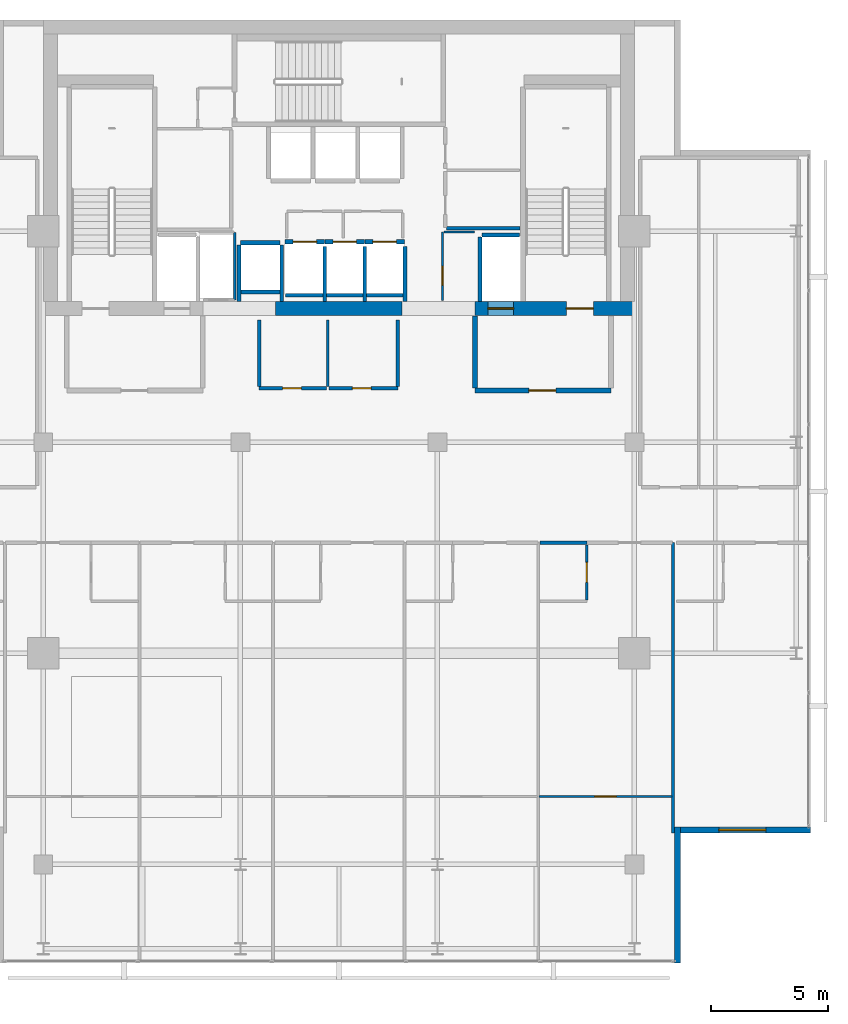
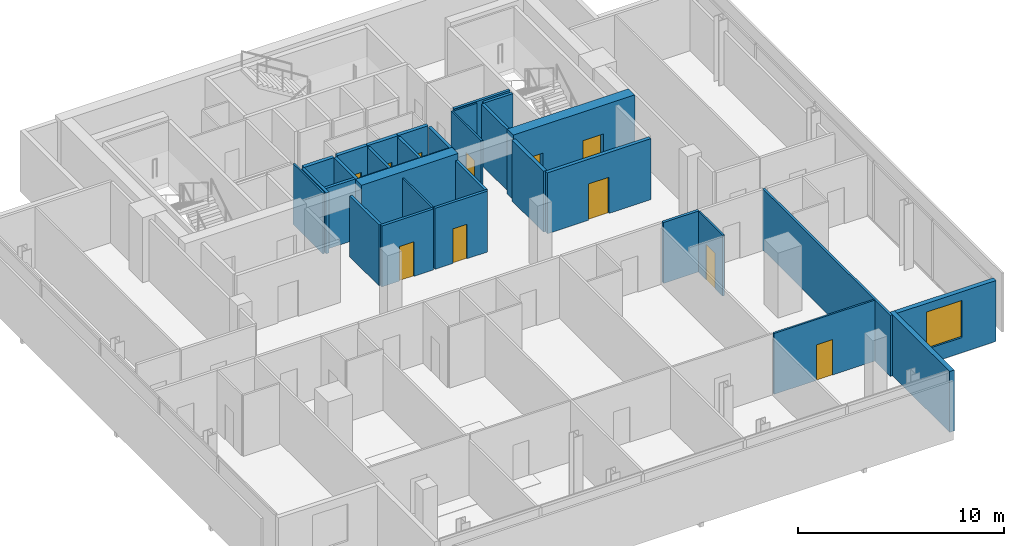
# One storey, part 18 of 24: 32 walls, 11 doors, 1 window, 12 openings.
"""IFC4 building model written with IfcOpenShell, lengths in metres."""

from ifc_helpers import new_model, si_unit, direction, frame, frame_2d, origin, place, context, subcontext, project, spatial, rectangle, extrude, material, layer, layer_set, type_object, element, fill, save


model = new_model("IFC4")

# Units and contexts
model_context = context("Model", 3, precision=1e-05, world=origin(), true_north=direction((0.0, 1.0)))
body_context = subcontext(model_context, "Body", "Model", "MODEL_VIEW")
ifc_project = project(units=[si_unit("LENGTHUNIT", "METRE"), si_unit("AREAUNIT", "SQUARE_METRE"), si_unit("VOLUMEUNIT", "CUBIC_METRE"), si_unit("PLANEANGLEUNIT", "RADIAN"), si_unit("MASSUNIT", "GRAM", prefix="KILO")], contexts=[model_context])

# Site, building, storey
site_placement = place(None, origin())
site = spatial("IfcSite", under=ifc_project, at=site_placement, CompositionType="ELEMENT")
building_placement = place(site_placement, origin())
building = spatial("IfcBuilding", under=site, at=building_placement, Name="Maruvema Waterfront Hotel and Observation Tower", CompositionType="ELEMENT")
storey_placement = place(building_placement, frame((0.0, 0.0, 325.85009765625)))
storey = spatial("IfcBuildingStorey", under=building, at=storey_placement, Name="L80", CompositionType="ELEMENT", Elevation=325.85009765625)

# Wall
ifc_material_1 = material(Name="Twin-stud acoustic gypsum drywall", Category="gypsum")
ifc_layer_1 = layer(ifc_material_1, 0.14990234375, Name="Acoustic Corridor and Suite Demising Wall 150 mm")
ifc_layer_set_1 = layer_set([ifc_layer_1], Name="Twin-stud acoustic gypsum drywall")
wall_type_1 = type_object("IfcWallType", Name="Acoustic Corridor and Suite Demising Wall 150 mm", PredefinedType="PARTITIONING", material=ifc_layer_set_1)
wall_1_placement = place(storey_placement, frame((42.3798828125, 45.1201171875, 0.0), z_axis=(0.0, 0.0, 1.0), x_axis=(1.0, 0.0, 0.0)))
element("IfcWall", 1, at=wall_1_placement, inside=storey, type_object=wall_type_1, Name="L80 Freed B2 South Wall 025", PredefinedType="PARTITIONING", context=body_context, shape_type="SweptSolid", body=[
    extrude(rectangle(XDim=3.14013671875, YDim=0.14990234375, at=frame_2d((1.570068359375, 0.0))), origin(), (0.0, 0.0, 1.0), 3.60986328125),
])

# Wall, opening, door
wall_2_placement = place(storey_placement, frame((34.39990234375, 38.300048828125, 0.0), z_axis=(0.0, 0.0, 1.0), x_axis=(1.0, 0.0, 0.0)))
wall_2 = element("IfcWall", 2, at=wall_2_placement, inside=storey, type_object=wall_type_1, Name="L80 Core Apron K2A South 026", PredefinedType="PARTITIONING", context=body_context, shape_type="SweptSolid", body=[
    extrude(rectangle(XDim=2.880126953125, YDim=0.14990234375, at=frame_2d((1.43994140625, 0.0))), origin(), (0.0, 0.0, 1.0), 3.60986328125),
])
opening_1_placement = place(wall_2_placement, frame((1.0, 0.0, 0.0)))
opening_1 = element("IfcOpeningElement", 3, at=opening_1_placement, cuts=wall_2, Name="Opening DR-080", PredefinedType="OPENING", context=body_context, shape_type="SweptSolid", body=[
    extrude(rectangle(XDim=0.800048828125, YDim=2.050048828125, at=frame_2d((0.39990234375, 1.02490234375))), frame((0.0, 0.0849609375, 0.0), z_axis=(0.0, -1.0, 0.0), x_axis=(1.0, 0.0, 0.0)), (0.0, 0.0, 1.0), 0.169921875),
])
ifc_material_2 = material(Name="Powder-coated steel access leaf", Category="steel")
door_type_1 = type_object("IfcDoorType", Name="Riser and Service Cupboard Door 800x2050 mm", OperationType="NOTDEFINED", PredefinedType="DOOR", material=ifc_material_2)
door_1_placement = place(opening_1_placement, frame((0.800048828125, 0.0, 0.0), z_axis=(0.0, 0.0, 1.0), x_axis=(-1.0, 0.0, 0.0)))
door_1 = element("IfcDoor", 4, at=door_1_placement, inside=storey, type_object=door_type_1, Name="L80 Core Ice Alcove Door", OperationType="SINGLE_SWING_LEFT", OverallHeight=2.050048828125, OverallWidth=0.800048828125, PredefinedType="DOOR", context=body_context, shape_type="SweptSolid", body=[
    extrude(rectangle(XDim=0.800048828125, YDim=2.050048828125, at=frame_2d((0.39990234375, 1.02490234375))), frame((0.0, 0.02490234375, 0.0), z_axis=(0.0, -1.0, 0.0), x_axis=(1.0, 0.0, 0.0)), (0.0, 0.0, 1.0), 0.050048828125),
])
fill(opening_1, door_1)

wall_3_placement = place(storey_placement, frame((37.3798828125, 38.300048828125, 0.0), z_axis=(0.0, 0.0, 1.0), x_axis=(1.0, 0.0, 0.0)))
wall_3 = element("IfcWall", 5, at=wall_3_placement, inside=storey, type_object=wall_type_1, Name="L80 Core Apron K2B South 027", PredefinedType="PARTITIONING", context=body_context, shape_type="SweptSolid", body=[
    extrude(rectangle(XDim=2.940185546875, YDim=0.14990234375, at=frame_2d((1.47021484375, 0.0))), origin(), (0.0, 0.0, 1.0), 3.60986328125),
])
opening_2_placement = place(wall_3_placement, frame((1.0, 0.0, 0.0)))
opening_2 = element("IfcOpeningElement", 6, at=opening_2_placement, cuts=wall_3, Name="Opening DR-080", PredefinedType="OPENING", context=body_context, shape_type="SweptSolid", body=[
    extrude(rectangle(XDim=0.800048828125, YDim=2.050048828125, at=frame_2d((0.39990234375, 1.02490234375))), frame((0.0, 0.0849609375, 0.0), z_axis=(0.0, -1.0, 0.0), x_axis=(1.0, 0.0, 0.0)), (0.0, 0.0, 1.0), 0.169921875),
])
door_2_placement = place(opening_2_placement, frame((0.800048828125, 0.0, 0.0), z_axis=(0.0, 0.0, 1.0), x_axis=(-1.0, 0.0, 0.0)))
door_2 = element("IfcDoor", 7, at=door_2_placement, inside=storey, type_object=door_type_1, Name="L80 Core Valet Closet Door", OperationType="SINGLE_SWING_RIGHT", OverallHeight=2.050048828125, OverallWidth=0.800048828125, PredefinedType="DOOR", context=body_context, shape_type="SweptSolid", body=[
    extrude(rectangle(XDim=0.800048828125, YDim=2.050048828125, at=frame_2d((0.39990234375, 1.02490234375))), frame((0.0, 0.02490234375, 0.0), z_axis=(0.0, -1.0, 0.0), x_axis=(1.0, 0.0, 0.0)), (0.0, 0.0, 1.0), 0.050048828125),
])
fill(opening_2, door_2)

# Walls
for number, where, z_axis, x_axis, name in (
    (8, (34.39990234375, 38.3798828125, 0.0), (0.0, 0.0, 1.0), (0.0, 1.0, 0.0), "L80 Core Apron K2 West 028"),
    (9, (40.320068359375, 38.3798828125, 0.0), (0.0, 0.0, 1.0), (0.0, 1.0, 0.0), "L80 Core Apron K2 East 030"),
):
    element("IfcWall", number, at=place(storey_placement, frame(where, z_axis=z_axis, x_axis=x_axis)), inside=storey, type_object=wall_type_1, Name=name, PredefinedType="PARTITIONING", context=body_context, shape_type="SweptSolid", body=[
        extrude(rectangle(XDim=2.840087890625, YDim=0.14990234375, at=frame_2d((1.419921875, 0.0))), origin(), (0.0, 0.0, 1.0), 3.60986328125),
    ])
wall_4_placement = place(storey_placement, frame((46.3798828125, 31.719970703125, 0.0), z_axis=(0.0, 0.0, 1.0), x_axis=(1.0, 0.0, 0.0)))
element("IfcWall", 10, at=wall_4_placement, inside=storey, type_object=wall_type_1, Name="L80 Bath L80-SK5 Back Wall 069", PredefinedType="PARTITIONING", context=body_context, shape_type="SweptSolid", body=[
    extrude(rectangle(XDim=1.990234375, YDim=0.14990234375, at=frame_2d((0.9951171875, 0.0))), origin(), (0.0, 0.0, 1.0), 3.60986328125),
])

# Wall, opening, door
ifc_material_3 = material(Name="Precast concrete C45/55", Category="concrete")
ifc_layer_2 = layer(ifc_material_3, 0.199951171875, Name="Core Shaft and Stairwell Enclosure Wall 200 mm")
ifc_layer_set_2 = layer_set([ifc_layer_2], Name="Precast concrete C45/55")
wall_type_2 = type_object("IfcWallType", Name="Core Shaft and Stairwell Enclosure Wall 200 mm", PredefinedType="SOLIDWALL", material=ifc_layer_set_2)
wall_5_placement = place(storey_placement, frame((35.510009765625, 44.550048828125, 0.0), z_axis=(0.0, 0.0, 1.0), x_axis=(1.0, 0.0, 0.0)))
wall_5 = element("IfcWall", 11, at=wall_5_placement, inside=storey, type_object=wall_type_2, Name="L80 Lift LF-09 Hoistway Front Wall", PredefinedType="SOLIDWALL", context=body_context, shape_type="SweptSolid", body=[
    extrude(rectangle(XDim=1.679931640625, YDim=0.199951171875, at=frame_2d((0.83984375, 0.0))), origin(), (0.0, 0.0, 1.0), 3.60986328125),
])
opening_3_placement = place(wall_5_placement, frame((0.340087890625, 0.0, 0.0)))
opening_3 = element("IfcOpeningElement", 12, at=opening_3_placement, cuts=wall_5, Name="Opening LD-01", PredefinedType="OPENING", context=body_context, shape_type="SweptSolid", body=[
    extrude(rectangle(XDim=1.0, YDim=2.14990234375, at=frame_2d((0.5, 1.074951171875))), frame((0.0, 0.10986328125, 0.0), z_axis=(0.0, -1.0, 0.0), x_axis=(1.0, 0.0, 0.0)), (0.0, 0.0, 1.0), 0.219970703125),
])
ifc_material_4 = material(Name="Brushed stainless steel Grade 316", Category="steel")
door_type_2 = type_object("IfcDoorType", Name="Passenger Lift Sliding Landing Door 1000x2150 mm", OperationType="SLIDING_TO_LEFT", PredefinedType="DOOR", material=ifc_material_4)
door_3_placement = place(opening_3_placement, origin())
door_3 = element("IfcDoor", 13, at=door_3_placement, inside=storey, type_object=door_type_2, Name="L80 Lift LF-09 Sliding Landing Door", OperationType="SLIDING_TO_LEFT", OverallHeight=2.14990234375, OverallWidth=1.0, PredefinedType="DOOR", context=body_context, shape_type="SweptSolid", body=[
    extrude(rectangle(XDim=1.0, YDim=2.14990234375, at=frame_2d((0.5, 1.074951171875))), frame((0.0, 0.02490234375, 0.0), z_axis=(0.0, -1.0, 0.0), x_axis=(1.0, 0.0, 0.0)), (0.0, 0.0, 1.0), 0.050048828125),
])
fill(opening_3, door_3)

wall_6_placement = place(storey_placement, frame((37.2099609375, 44.550048828125, 0.0), z_axis=(0.0, 0.0, 1.0), x_axis=(1.0, 0.0, 0.0)))
wall_6 = element("IfcWall", 14, at=wall_6_placement, inside=storey, type_object=wall_type_2, Name="L80 Lift LF-10 Hoistway Front Wall", PredefinedType="SOLIDWALL", context=body_context, shape_type="SweptSolid", body=[
    extrude(rectangle(XDim=1.679931640625, YDim=0.199951171875, at=frame_2d((0.83984375, 0.0))), origin(), (0.0, 0.0, 1.0), 3.60986328125),
])
opening_4_placement = place(wall_6_placement, frame((0.340087890625, 0.0, 0.0)))
opening_4 = element("IfcOpeningElement", 15, at=opening_4_placement, cuts=wall_6, Name="Opening LD-01", PredefinedType="OPENING", context=body_context, shape_type="SweptSolid", body=[
    extrude(rectangle(XDim=1.0, YDim=2.14990234375, at=frame_2d((0.5, 1.074951171875))), frame((0.0, 0.10986328125, 0.0), z_axis=(0.0, -1.0, 0.0), x_axis=(1.0, 0.0, 0.0)), (0.0, 0.0, 1.0), 0.219970703125),
])
door_4_placement = place(opening_4_placement, origin())
door_4 = element("IfcDoor", 16, at=door_4_placement, inside=storey, type_object=door_type_2, Name="L80 Lift LF-10 Sliding Landing Door", OperationType="SLIDING_TO_LEFT", OverallHeight=2.14990234375, OverallWidth=1.0, PredefinedType="DOOR", context=body_context, shape_type="SweptSolid", body=[
    extrude(rectangle(XDim=1.0, YDim=2.14990234375, at=frame_2d((0.5, 1.074951171875))), frame((0.0, 0.02490234375, 0.0), z_axis=(0.0, -1.0, 0.0), x_axis=(1.0, 0.0, 0.0)), (0.0, 0.0, 1.0), 0.050048828125),
])
fill(opening_4, door_4)

wall_7_placement = place(storey_placement, frame((38.909912109375, 44.550048828125, 0.0), z_axis=(0.0, 0.0, 1.0), x_axis=(1.0, 0.0, 0.0)))
wall_7 = element("IfcWall", 17, at=wall_7_placement, inside=storey, type_object=wall_type_2, Name="L80 Lift LF-11 Hoistway Front Wall", PredefinedType="SOLIDWALL", context=body_context, shape_type="SweptSolid", body=[
    extrude(rectangle(XDim=1.68017578125, YDim=0.199951171875, at=frame_2d((0.840087890625, 0.0))), origin(), (0.0, 0.0, 1.0), 3.60986328125),
])
opening_5_placement = place(wall_7_placement, frame((0.340087890625, 0.0, 0.0)))
opening_5 = element("IfcOpeningElement", 18, at=opening_5_placement, cuts=wall_7, Name="Opening LD-01", PredefinedType="OPENING", context=body_context, shape_type="SweptSolid", body=[
    extrude(rectangle(XDim=1.0, YDim=2.14990234375, at=frame_2d((0.5, 1.074951171875))), frame((0.0, 0.10986328125, 0.0), z_axis=(0.0, -1.0, 0.0), x_axis=(1.0, 0.0, 0.0)), (0.0, 0.0, 1.0), 0.219970703125),
])
door_5_placement = place(opening_5_placement, origin())
door_5 = element("IfcDoor", 19, at=door_5_placement, inside=storey, type_object=door_type_2, Name="L80 Lift LF-11 Sliding Landing Door", OperationType="SLIDING_TO_LEFT", OverallHeight=2.14990234375, OverallWidth=1.0, PredefinedType="DOOR", context=body_context, shape_type="SweptSolid", body=[
    extrude(rectangle(XDim=1.0, YDim=2.14990234375, at=frame_2d((0.5, 1.074951171875))), frame((0.0, 0.02490234375, 0.0), z_axis=(0.0, -1.0, 0.0), x_axis=(1.0, 0.0, 0.0)), (0.0, 0.0, 1.0), 0.050048828125),
])
fill(opening_5, door_5)

# Walls
wall_8_placement = place(storey_placement, frame((33.610107421875, 44.5, 0.0), z_axis=(0.0, 0.0, 1.0), x_axis=(1.0, 0.0, 0.0)))
element("IfcWall", 20, at=wall_8_placement, inside=storey, type_object=wall_type_2, Name="L80 Lift LF-15 Hoistway Front Wall", PredefinedType="SOLIDWALL", context=body_context, shape_type="SweptSolid", body=[
    extrude(rectangle(XDim=1.679931640625, YDim=0.199951171875, at=frame_2d((0.83984375, 0.0))), origin(), (0.0, 0.0, 1.0), 3.60986328125),
])
ifc_material_5 = material(Name="Concrete C60/75", Category="concrete")
ifc_layer_3 = layer(ifc_material_5, 0.60009765625, Name="Core Shear Wall 600 mm")
ifc_layer_set_3 = layer_set([ifc_layer_3], Name="Concrete C60/75")
wall_type_3 = type_object("IfcWallType", Name="Core Shear Wall 600 mm", PredefinedType="SHEAR", material=ifc_layer_set_3)
wall_9_placement = place(storey_placement, frame((35.10009765625, 41.699951171875, 0.0), z_axis=(0.0, 0.0, 1.0), x_axis=(1.0, 0.0, 0.0)))
element("IfcWall", 21, at=wall_9_placement, inside=storey, type_object=wall_type_3, Name="L80 South-Central Core Shear Wall", PredefinedType="SHEAR", context=body_context, shape_type="SweptSolid", body=[
    extrude(rectangle(XDim=5.39990234375, YDim=0.60009765625, at=frame_2d((2.699951171875, 0.0))), origin(), (0.0, 0.0, 1.0), 3.849853515625),
])

# Wall, openings, doors
wall_10_placement = place(storey_placement, frame((43.60009765625, 41.699951171875, 0.0), z_axis=(0.0, 0.0, 1.0), x_axis=(1.0, 0.0, 0.0)))
wall_10 = element("IfcWall", 22, at=wall_10_placement, inside=storey, type_object=wall_type_3, Name="L80 South-East Core Shear Wall", PredefinedType="SHEAR", context=body_context, shape_type="SweptSolid", body=[
    extrude(rectangle(XDim=6.7998046875, YDim=0.60009765625, at=frame_2d((3.39990234375, 0.0))), origin(), (0.0, 0.0, 1.0), 3.849853515625),
])
opening_6_placement = place(wall_10_placement, frame((3.89990234375, 0.0, 0.0)))
opening_6 = element("IfcOpeningElement", 23, at=opening_6_placement, cuts=wall_10, Name="Opening SD-01", PredefinedType="OPENING", context=body_context, shape_type="SweptSolid", body=[
    extrude(rectangle(XDim=1.14990234375, YDim=2.14990234375, at=frame_2d((0.574951171875, 1.074951171875))), frame((0.0, 0.31005859375, 0.0), z_axis=(0.0, -1.0, 0.0), x_axis=(1.0, 0.0, 0.0)), (0.0, 0.0, 1.0), 0.6201171875),
])
opening_7_placement = place(wall_10_placement, frame((0.550048828125, 0.0, 0.0)))
opening_7 = element("IfcOpeningElement", 24, at=opening_7_placement, cuts=wall_10, Name="Opening LD-03", PredefinedType="OPENING", context=body_context, shape_type="SweptSolid", body=[
    extrude(rectangle(XDim=1.10009765625, YDim=2.199951171875, at=frame_2d((0.550048828125, 1.10009765625))), frame((0.0, 0.31005859375, 0.0), z_axis=(0.0, -1.0, 0.0), x_axis=(1.0, 0.0, 0.0)), (0.0, 0.0, 1.0), 0.6201171875),
])
ifc_material_6 = material(Name="Fire-rated galvanised steel leaf", Category="steel")
door_type_3 = type_object("IfcDoorType", Name="Exit Stair Fire Door 1150x2150 mm", OperationType="NOTDEFINED", PredefinedType="DOOR", material=ifc_material_6)
door_6_placement = place(opening_6_placement, origin())
door_6 = element("IfcDoor", 25, at=door_6_placement, inside=storey, type_object=door_type_3, Name="L80 Exit Stair ST-03 Fire Door", OperationType="SINGLE_SWING_RIGHT", OverallHeight=2.14990234375, OverallWidth=1.14990234375, PredefinedType="DOOR", context=body_context, shape_type="SweptSolid", body=[
    extrude(rectangle(XDim=1.14990234375, YDim=2.14990234375, at=frame_2d((0.574951171875, 1.074951171875))), frame((0.0, 0.02490234375, 0.0), z_axis=(0.0, -1.0, 0.0), x_axis=(1.0, 0.0, 0.0)), (0.0, 0.0, 1.0), 0.050048828125),
])
fill(opening_6, door_6)
ifc_material_7 = material(Name="Brushed stainless steel Grade 316", Category="steel")
door_type_4 = type_object("IfcDoorType", Name="Firefighting Lift Sliding Landing Door 1100x2200 mm", OperationType="SLIDING_TO_LEFT", PredefinedType="DOOR", material=ifc_material_7)
door_7_placement = place(opening_7_placement, frame((1.10009765625, 0.0, 0.0), z_axis=(0.0, 0.0, 1.0), x_axis=(-1.0, 0.0, 0.0)))
door_7 = element("IfcDoor", 26, at=door_7_placement, inside=storey, type_object=door_type_4, Name="L80 Firefighting Lift FL-02 Landing Door", OperationType="SLIDING_TO_LEFT", OverallHeight=2.199951171875, OverallWidth=1.10009765625, PredefinedType="DOOR", context=body_context, shape_type="SweptSolid", body=[
    extrude(rectangle(XDim=1.10009765625, YDim=2.199951171875, at=frame_2d((0.550048828125, 1.10009765625))), frame((0.0, 0.02490234375, 0.0), z_axis=(0.0, -1.0, 0.0), x_axis=(1.0, 0.0, 0.0)), (0.0, 0.0, 1.0), 0.050048828125),
])
fill(opening_7, door_7)

# Wall
ifc_material_8 = material(Name="Moisture-resistant cement-board drywall", Category="gypsum")
ifc_layer_4 = layer(ifc_material_8, 0.10009765625, Name="En-Suite Moisture-Resistant Partition 100 mm")
ifc_layer_set_4 = layer_set([ifc_layer_4], Name="Moisture-resistant cement-board drywall")
wall_type_4 = type_object("IfcWallType", Name="En-Suite Moisture-Resistant Partition 100 mm", PredefinedType="PARTITIONING", material=ifc_layer_set_4)
wall_11_placement = place(storey_placement, frame((33.360107421875, 42.06005859375, 0.0), z_axis=(0.0, 0.0, 1.0), x_axis=(0.0, 1.0, 0.0)))
element("IfcWall", 27, at=wall_11_placement, inside=storey, type_object=wall_type_4, Name="L80 Telecom Riser East Wall 009", PredefinedType="PARTITIONING", context=body_context, shape_type="SweptSolid", body=[
    extrude(rectangle(XDim=2.8798828125, YDim=0.10009765625, at=frame_2d((1.43994140625, 0.0))), origin(), (0.0, 0.0, 1.0), 3.60986328125),
])

# Wall, opening, door
wall_12_placement = place(storey_placement, frame((42.219970703125, 42.050048828125, 0.0), z_axis=(0.0, 0.0, 1.0), x_axis=(0.0, 1.0, 0.0)))
wall_12 = element("IfcWall", 28, at=wall_12_placement, inside=storey, type_object=wall_type_4, Name="L80 Core Closet K2C West 015", PredefinedType="PARTITIONING", context=body_context, shape_type="SweptSolid", body=[
    extrude(rectangle(XDim=2.909912109375, YDim=0.10009765625, at=frame_2d((1.455078125, 0.0))), origin(), (0.0, 0.0, 1.0), 3.60986328125),
])
opening_8_placement = place(wall_12_placement, frame((0.64990234375, 0.0, 0.0)))
opening_8 = element("IfcOpeningElement", 29, at=opening_8_placement, cuts=wall_12, Name="Opening DR-080", PredefinedType="OPENING", context=body_context, shape_type="SweptSolid", body=[
    extrude(rectangle(XDim=0.800048828125, YDim=2.050048828125, at=frame_2d((0.39990234375, 1.02490234375))), frame((0.0, 0.06005859375, 0.0), z_axis=(0.0, -1.0, 0.0), x_axis=(1.0, 0.0, 0.0)), (0.0, 0.0, 1.0), 0.1201171875),
])
door_8_placement = place(opening_8_placement, frame((0.800048828125, 0.0, 0.0), z_axis=(0.0, 0.0, 1.0), x_axis=(-1.0, 0.0, 0.0)))
door_8 = element("IfcDoor", 30, at=door_8_placement, inside=storey, type_object=door_type_1, Name="L80 Core Housekeeping Closet Door", OperationType="SINGLE_SWING_RIGHT", OverallHeight=2.050048828125, OverallWidth=0.800048828125, PredefinedType="DOOR", context=body_context, shape_type="SweptSolid", body=[
    extrude(rectangle(XDim=0.800048828125, YDim=2.050048828125, at=frame_2d((0.39990234375, 1.02490234375))), frame((0.0, 0.02490234375, 0.0), z_axis=(0.0, -1.0, 0.0), x_axis=(1.0, 0.0, 0.0)), (0.0, 0.0, 1.0), 0.050048828125),
])
fill(opening_8, door_8)

# Walls
wall_13_placement = place(storey_placement, frame((42.280029296875, 44.9599609375, 0.0), z_axis=(0.0, 0.0, 1.0), x_axis=(1.0, 0.0, 0.0)))
element("IfcWall", 31, at=wall_13_placement, inside=storey, type_object=wall_type_4, Name="L80 Core Closet K2C North 016", PredefinedType="PARTITIONING", context=body_context, shape_type="SweptSolid", body=[
    extrude(rectangle(XDim=1.300048828125, YDim=0.10009765625, at=frame_2d((0.64990234375, 0.0))), origin(), (0.0, 0.0, 1.0), 3.60986328125),
])
wall_14_placement = place(storey_placement, frame((37.330078125, 38.3798828125, 0.0), z_axis=(0.0, 0.0, 1.0), x_axis=(0.0, 1.0, 0.0)))
element("IfcWall", 32, at=wall_14_placement, inside=storey, type_object=wall_type_4, Name="L80 Core Apron K2 Split 029", PredefinedType="PARTITIONING", context=body_context, shape_type="SweptSolid", body=[
    extrude(rectangle(XDim=2.840087890625, YDim=0.10009765625, at=frame_2d((1.419921875, 0.0))), origin(), (0.0, 0.0, 1.0), 3.60986328125),
])

# Wall, opening, door
wall_15_placement = place(storey_placement, frame((48.3701171875, 29.280029296875, 0.0), z_axis=(0.0, 0.0, 1.0), x_axis=(0.0, 1.0, 0.0)))
wall_15 = element("IfcWall", 33, at=wall_15_placement, inside=storey, type_object=wall_type_4, Name="L80 En-Suite L80-SK5 East 071", PredefinedType="PARTITIONING", context=body_context, shape_type="SweptSolid", body=[
    extrude(rectangle(XDim=2.340087890625, YDim=0.10009765625, at=frame_2d((1.169921875, 0.0))), origin(), (0.0, 0.0, 1.0), 3.60986328125),
])
opening_9_placement = place(wall_15_placement, frame((0.7451171875, 0.0, 0.0)))
opening_9 = element("IfcOpeningElement", 34, at=opening_9_placement, cuts=wall_15, Name="Opening DR-085", PredefinedType="OPENING", context=body_context, shape_type="SweptSolid", body=[
    extrude(rectangle(XDim=0.85009765625, YDim=2.10009765625, at=frame_2d((0.425048828125, 1.050048828125))), frame((0.0, 0.06005859375, 0.0), z_axis=(0.0, -1.0, 0.0), x_axis=(1.0, 0.0, 0.0)), (0.0, 0.0, 1.0), 0.1201171875),
])
ifc_material_9 = material(Name="Moisture-resistant solid timber leaf", Category="wood")
door_type_5 = type_object("IfcDoorType", Name="En-Suite Bathroom Door 850x2100 mm", OperationType="NOTDEFINED", PredefinedType="DOOR", material=ifc_material_9)
door_9_placement = place(opening_9_placement, frame((0.85009765625, 0.0, 0.0), z_axis=(0.0, 0.0, 1.0), x_axis=(-1.0, 0.0, 0.0)))
door_9 = element("IfcDoor", 35, at=door_9_placement, inside=storey, type_object=door_type_5, Name="L80 En-Suite L80-SK5 Door", OperationType="SINGLE_SWING_LEFT", OverallHeight=2.10009765625, OverallWidth=0.85009765625, PredefinedType="DOOR", context=body_context, shape_type="SweptSolid", body=[
    extrude(rectangle(XDim=0.85009765625, YDim=2.10009765625, at=frame_2d((0.425048828125, 1.050048828125))), frame((0.0, 0.02490234375, 0.0), z_axis=(0.0, -1.0, 0.0), x_axis=(1.0, 0.0, 0.0)), (0.0, 0.0, 1.0), 0.050048828125),
])
fill(opening_9, door_9)

wall_16_placement = place(storey_placement, frame((46.340087890625, 20.893310546875, 0.0), z_axis=(0.0, 0.0, 1.0), x_axis=(1.0, 0.0, 0.0)))
wall_16 = element("IfcWall", 36, at=wall_16_placement, inside=storey, type_object=wall_type_4, Name="L80 Suite L80-SK5 Split 073", PredefinedType="PARTITIONING", context=body_context, shape_type="SweptSolid", body=[
    extrude(rectangle(XDim=5.657470703125, YDim=0.10009765625, at=frame_2d((2.82861328125, 0.0))), origin(), (0.0, 0.0, 1.0), 3.60986328125),
])
opening_10_placement = place(wall_16_placement, frame((2.378662109375, 0.0, 0.0)))
opening_10 = element("IfcOpeningElement", 37, at=opening_10_placement, cuts=wall_16, Name="Opening DR-090", PredefinedType="OPENING", context=body_context, shape_type="SweptSolid", body=[
    extrude(rectangle(XDim=0.89990234375, YDim=2.10009765625, at=frame_2d((0.449951171875, 1.050048828125))), frame((0.0, 0.06005859375, 0.0), z_axis=(0.0, -1.0, 0.0), x_axis=(1.0, 0.0, 0.0)), (0.0, 0.0, 1.0), 0.1201171875),
])
ifc_material_10 = material(Name="Solid-core lacquered timber leaf", Category="wood")
door_type_6 = type_object("IfcDoorType", Name="Accessible Toilet and Room Door 900x2100 mm", OperationType="NOTDEFINED", PredefinedType="DOOR", material=ifc_material_10)
door_10_placement = place(opening_10_placement, frame((0.89990234375, 0.0, 0.0), z_axis=(0.0, 0.0, 1.0), x_axis=(-1.0, 0.0, 0.0)))
door_10 = element("IfcDoor", 38, at=door_10_placement, inside=storey, type_object=door_type_6, Name="L80 Suite L80-SK5 Bedroom Door", OperationType="SINGLE_SWING_LEFT", OverallHeight=2.10009765625, OverallWidth=0.89990234375, PredefinedType="DOOR", context=body_context, shape_type="SweptSolid", body=[
    extrude(rectangle(XDim=0.89990234375, YDim=2.10009765625, at=frame_2d((0.449951171875, 1.050048828125))), frame((0.0, 0.02490234375, 0.0), z_axis=(0.0, -1.0, 0.0), x_axis=(1.0, 0.0, 0.0)), (0.0, 0.0, 1.0), 0.050048828125),
])
fill(opening_10, door_10)

# Wall
ifc_material_11 = material(Name="Precast concrete C45/55 with honed Pernambuco granite facing", Category="masonry")
ifc_layer_5 = layer(ifc_material_11, 0.260009765625, Name="Exterior Granite Clad Spandrel and Pier Wall 260 mm")
ifc_layer_set_5 = layer_set([ifc_layer_5], Name="Precast concrete C45/55 with honed Pernambuco granite facing")
wall_type_5 = type_object("IfcWallType", Name="Exterior Granite Clad Spandrel and Pier Wall 260 mm", PredefinedType="SOLIDWALL", material=ifc_layer_set_5)
wall_17_placement = place(storey_placement, frame((52.22998046875, 19.60009765625, 0.0), z_axis=(0.0, 0.0, 1.0), x_axis=(0.0, -1.0, 0.0)))
element("IfcWall", 39, at=wall_17_placement, inside=storey, type_object=wall_type_5, Name="L80 Corner Notch Granite Pier Wall SE1", PredefinedType="SOLIDWALL", context=body_context, shape_type="SweptSolid", body=[
    extrude(rectangle(XDim=5.800048828125, YDim=0.260009765625, at=frame_2d((2.89990234375, 0.0))), origin(), (0.0, 0.0, 1.0), 3.60986328125),
])

# Wall, opening, window
wall_18_placement = place(storey_placement, frame((57.89990234375, 19.469970703125, 0.0), z_axis=(0.0, 0.0, 1.0), x_axis=(-1.0, 0.0, 0.0)))
wall_18 = element("IfcWall", 40, at=wall_18_placement, inside=storey, type_object=wall_type_5, Name="L80 Corner Notch Granite Pier Wall SE2", PredefinedType="SOLIDWALL", context=body_context, shape_type="SweptSolid", body=[
    extrude(rectangle(XDim=5.7998046875, YDim=0.260009765625, at=frame_2d((2.89990234375, 0.0))), origin(), (0.0, 0.0, 1.0), 3.60986328125),
])
opening_11_placement = place(wall_18_placement, frame((1.89990234375, 0.0, 0.89990234375)))
opening_11 = element("IfcOpeningElement", 41, at=opening_11_placement, cuts=wall_18, Name="Opening WN-03", PredefinedType="OPENING", context=body_context, shape_type="SweptSolid", body=[
    extrude(rectangle(XDim=2.0, YDim=2.199951171875, at=frame_2d((1.0, 1.10009765625))), frame((0.0, 0.14013671875, 0.0), z_axis=(0.0, -1.0, 0.0), x_axis=(1.0, 0.0, 0.0)), (0.0, 0.0, 1.0), 0.280029296875),
])
ifc_material_12 = material(Name="Anodised bronze aluminium frame with laminated low-E glass", Category="aluminium")
window_type = type_object("IfcWindowType", Name="Sky Suite Panoramic Notch Window 2000x2200 mm", PartitioningType="SINGLE_PANEL", PredefinedType="WINDOW", material=ifc_material_12)
window_placement = place(opening_11_placement, origin())
window = element("IfcWindow", 42, at=window_placement, inside=storey, type_object=window_type, Name="L80 Corner Notch Punched Window SE2", OverallHeight=2.199951171875, OverallWidth=2.0, PartitioningType="SINGLE_PANEL", PredefinedType="WINDOW", context=body_context, shape_type="SweptSolid", body=[
    extrude(rectangle(XDim=2.0, YDim=2.199951171875, at=frame_2d((1.0, 1.10009765625))), frame((0.0, 0.030029296875, 0.0), z_axis=(0.0, -1.0, 0.0), x_axis=(1.0, 0.0, 0.0)), (0.0, 0.0, 1.0), 0.06005859375),
])
fill(opening_11, window)

# Wall, opening, door
ifc_material_13 = material(Name="Autoclaved cellular concrete blockwork", Category="masonry")
ifc_layer_6 = layer(ifc_material_13, 0.199951171875, Name="Fire Compartment Masonry Wall 200 mm")
ifc_layer_set_6 = layer_set([ifc_layer_6], Name="Autoclaved cellular concrete blockwork")
wall_type_6 = type_object("IfcWallType", Name="Fire Compartment Masonry Wall 200 mm", PredefinedType="PARTITIONING", material=ifc_layer_set_6)
wall_19_placement = place(storey_placement, frame((43.60009765625, 38.199951171875, 0.0), z_axis=(0.0, 0.0, 1.0), x_axis=(1.0, 0.0, 0.0)))
wall_19 = element("IfcWall", 43, at=wall_19_placement, inside=storey, type_object=wall_type_6, Name="L80 FFL East South Wall 004", PredefinedType="PARTITIONING", context=body_context, shape_type="SweptSolid", body=[
    extrude(rectangle(XDim=5.7998046875, YDim=0.199951171875, at=frame_2d((2.89990234375, 0.0))), origin(), (0.0, 0.0, 1.0), 3.60986328125),
])
opening_12_placement = place(wall_19_placement, frame((2.300048828125, 0.0, 0.0)))
opening_12 = element("IfcOpeningElement", 44, at=opening_12_placement, cuts=wall_19, Name="Opening FD-115", PredefinedType="OPENING", context=body_context, shape_type="SweptSolid", body=[
    extrude(rectangle(XDim=1.14990234375, YDim=2.14990234375, at=frame_2d((0.574951171875, 1.074951171875))), frame((0.0, 0.10986328125, 0.0), z_axis=(0.0, -1.0, 0.0), x_axis=(1.0, 0.0, 0.0)), (0.0, 0.0, 1.0), 0.219970703125),
])
ifc_material_14 = material(Name="Fire-rated galvanised steel and vision glass", Category="steel")
door_type_7 = type_object("IfcDoorType", Name="Firefighting Lobby Fire Door 1150x2150 mm", OperationType="NOTDEFINED", PredefinedType="DOOR", material=ifc_material_14)
door_11_placement = place(opening_12_placement, frame((1.14990234375, 0.0, 0.0), z_axis=(0.0, 0.0, 1.0), x_axis=(-1.0, 0.0, 0.0)))
door_11 = element("IfcDoor", 45, at=door_11_placement, inside=storey, type_object=door_type_7, Name="L80 Firefighting Lobby East Door", OperationType="SINGLE_SWING_RIGHT", OverallHeight=2.14990234375, OverallWidth=1.14990234375, PredefinedType="DOOR", context=body_context, shape_type="SweptSolid", body=[
    extrude(rectangle(XDim=1.14990234375, YDim=2.14990234375, at=frame_2d((0.574951171875, 1.074951171875))), frame((0.0, 0.02490234375, 0.0), z_axis=(0.0, -1.0, 0.0), x_axis=(1.0, 0.0, 0.0)), (0.0, 0.0, 1.0), 0.050048828125),
])
fill(opening_12, door_11)

# Walls
wall_20_placement = place(storey_placement, frame((43.60009765625, 38.31005859375, 0.0), z_axis=(0.0, 0.0, 1.0), x_axis=(0.0, 1.0, 0.0)))
element("IfcWall", 46, at=wall_20_placement, inside=storey, type_object=wall_type_6, Name="L80 FFL East West Wall 005", PredefinedType="PARTITIONING", context=body_context, shape_type="SweptSolid", body=[
    extrude(rectangle(XDim=3.06982421875, YDim=0.199951171875, at=frame_2d((1.534912109375, 0.0))), origin(), (0.0, 0.0, 1.0), 3.60986328125),
])
ifc_material_15 = material(Name="Acoustic gypsum plasterboard drywall", Category="gypsum")
ifc_layer_7 = layer(ifc_material_15, 0.125, Name="Guestroom Acoustic Demising Wall 125 mm")
ifc_layer_set_7 = layer_set([ifc_layer_7], Name="Acoustic gypsum plasterboard drywall")
wall_type_7 = type_object("IfcWallType", Name="Guestroom Acoustic Demising Wall 125 mm", PredefinedType="PARTITIONING", material=ifc_layer_set_7)
wall_21_placement = place(storey_placement, frame((52.03759765625, 19.340087890625, 0.0), z_axis=(0.0, 0.0, 1.0), x_axis=(0.0, 1.0, 0.0)))
element("IfcWall", 47, at=wall_21_placement, inside=storey, type_object=wall_type_7, Name="L80 Z4 S East End 044", PredefinedType="PARTITIONING", context=body_context, shape_type="SweptSolid", body=[
    extrude(rectangle(XDim=12.3798828125, YDim=0.125, at=frame_2d((6.18994140625, 0.0))), origin(), (0.0, 0.0, 1.0), 3.60986328125),
])
ifc_material_16 = material(Name="Precast concrete C45/55", Category="concrete")
ifc_layer_8 = layer(ifc_material_16, 0.159912109375, Name="Lift Hoistway Divider Wall 160 mm")
ifc_layer_set_8 = layer_set([ifc_layer_8], Name="Precast concrete C45/55")
wall_type_8 = type_object("IfcWallType", Name="Lift Hoistway Divider Wall 160 mm", PredefinedType="SOLIDWALL", material=ifc_layer_set_8)
wall_22_placement = place(storey_placement, frame((43.89990234375, 44.830078125, 0.0), z_axis=(0.0, 0.0, 1.0), x_axis=(1.0, 0.0, 0.0)))
element("IfcWall", 48, at=wall_22_placement, inside=storey, type_object=wall_type_8, Name="L80 Lift FL-02 Rear Hoistway Wall", PredefinedType="SOLIDWALL", context=body_context, shape_type="SweptSolid", body=[
    extrude(rectangle(XDim=1.60009765625, YDim=0.159912109375, at=frame_2d((0.800048828125, 0.0))), origin(), (0.0, 0.0, 1.0), 3.60986328125),
])
wall_23_placement = place(storey_placement, frame((43.820068359375, 42.0, 0.0), z_axis=(0.0, 0.0, 1.0), x_axis=(0.0, 1.0, 0.0)))
element("IfcWall", 49, at=wall_23_placement, inside=storey, type_object=wall_type_8, Name="L80 Lift FL-02 Inner Hoistway Wall", PredefinedType="SOLIDWALL", context=body_context, shape_type="SweptSolid", body=[
    extrude(rectangle(XDim=2.739990234375, YDim=0.159912109375, at=frame_2d((1.3701171875, 0.0))), origin(), (0.0, 0.0, 1.0), 3.60986328125),
])
for number, where, z_axis, x_axis, name in (
    (50, (37.199951171875, 42.0, 0.0), (0.0, 0.0, 1.0), (0.0, 1.0, 0.0), "L80 Hoistway Divider Wall"),
    (51, (38.89990234375, 42.0, 0.0), (0.0, 0.0, 1.0), (0.0, 1.0, 0.0), "L80 Hoistway Divider Wall"),
    (52, (40.6201171875, 42.0, 0.0), (0.0, 0.0, 1.0), (0.0, 1.0, 0.0), "L80 Hoistway Divider Wall"),
):
    element("IfcWall", number, at=place(storey_placement, frame(where, z_axis=z_axis, x_axis=x_axis)), inside=storey, type_object=wall_type_8, Name=name, PredefinedType="SOLIDWALL", context=body_context, shape_type="SweptSolid", body=[
        extrude(rectangle(XDim=2.35009765625, YDim=0.159912109375, at=frame_2d((1.175048828125, 0.0))), origin(), (0.0, 0.0, 1.0), 3.60986328125),
    ])
wall_24_placement = place(storey_placement, frame((35.52001953125, 42.260009765625, 0.0), z_axis=(0.0, 0.0, 1.0), x_axis=(1.0, 0.0, 0.0)))
element("IfcWall", 53, at=wall_24_placement, inside=storey, type_object=wall_type_8, Name="L80 Hoistway Divider Wall", PredefinedType="SOLIDWALL", context=body_context, shape_type="SweptSolid", body=[
    extrude(rectangle(XDim=5.02001953125, YDim=0.159912109375, at=frame_2d((2.510009765625, 0.0))), origin(), (0.0, 0.0, 1.0), 3.60986328125),
])
for number, where, z_axis, x_axis, name in (
    (54, (33.5400390625, 42.0, 0.0), (0.0, 0.0, 1.0), (0.0, 1.0, 0.0), "L80 Hoistway Divider Wall"),
    (55, (35.360107421875, 42.0, 0.0), (0.0, 0.0, 1.0), (0.0, 1.0, 0.0), "L80 Hoistway Divider Wall"),
):
    element("IfcWall", number, at=place(storey_placement, frame(where, z_axis=z_axis, x_axis=x_axis)), inside=storey, type_object=wall_type_8, Name=name, PredefinedType="SOLIDWALL", context=body_context, shape_type="SweptSolid", body=[
        extrude(rectangle(XDim=2.39990234375, YDim=0.159912109375, at=frame_2d((1.199951171875, 0.0))), origin(), (0.0, 0.0, 1.0), 3.60986328125),
    ])
wall_25_placement = place(storey_placement, frame((33.6201171875, 42.39990234375, 0.0), z_axis=(0.0, 0.0, 1.0), x_axis=(1.0, 0.0, 0.0)))
element("IfcWall", 56, at=wall_25_placement, inside=storey, type_object=wall_type_8, Name="L80 Hoistway Divider Wall", PredefinedType="SOLIDWALL", context=body_context, shape_type="SweptSolid", body=[
    extrude(rectangle(XDim=1.659912109375, YDim=0.159912109375, at=frame_2d((0.830078125, 0.0))), origin(), (0.0, 0.0, 1.0), 3.60986328125),
])

save(model, "model.ifc")
